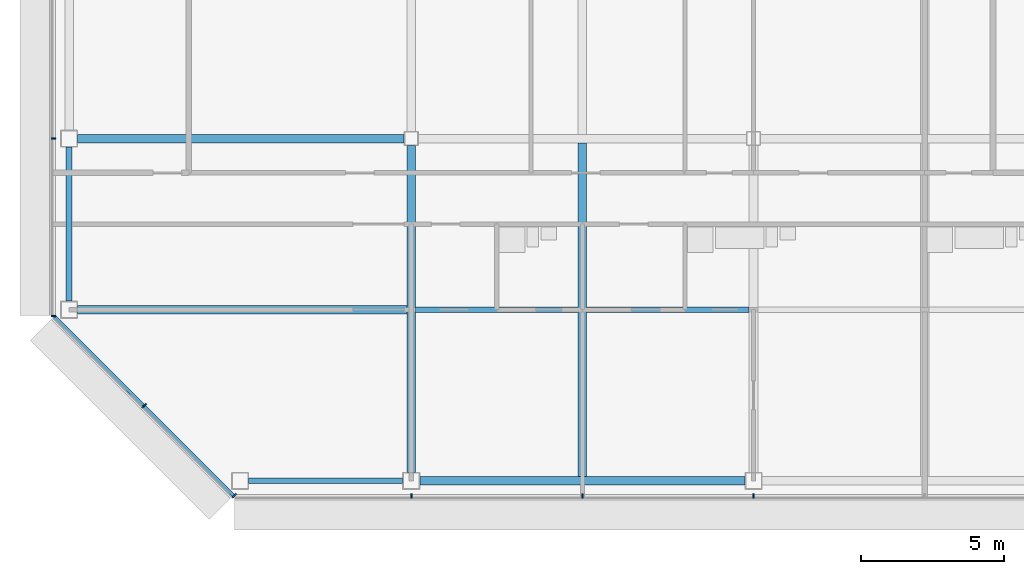
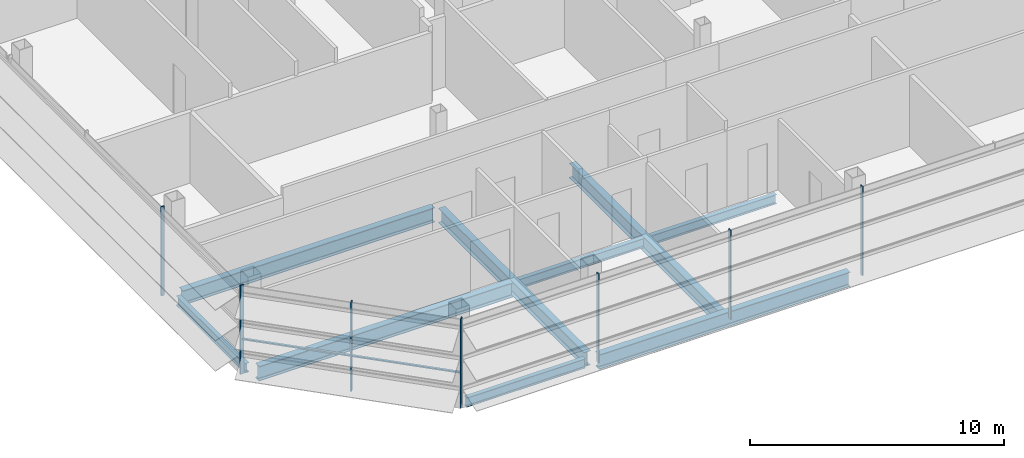
# One storey, part 3 of 29: 9 beams, 8 members, 3 elements without a shape of their own.
"""IFC4 building model written with IfcOpenShell, lengths in metres."""

from ifc_helpers import new_model, si_unit, direction, frame, origin, origin_2d, place, context, subcontext, project, spatial, rectangle, i_section, extrude, material, material_profile, profile_set, type_object, element, aggregate, save


model = new_model("IFC4")

# Units and contexts
model_context = context("Model", 3, precision=1e-05, world=origin(), true_north=direction((0.0, 1.0)))
body_context = subcontext(model_context, "Body", "Model", "MODEL_VIEW")
ifc_project = project(units=[si_unit("LENGTHUNIT", "METRE"), si_unit("AREAUNIT", "SQUARE_METRE"), si_unit("VOLUMEUNIT", "CUBIC_METRE"), si_unit("PLANEANGLEUNIT", "RADIAN"), si_unit("MASSUNIT", "GRAM", prefix="KILO")], contexts=[model_context])

# Site, building, storey
site_placement = place(None, origin())
site = spatial("IfcSite", under=ifc_project, at=site_placement, CompositionType="ELEMENT")
building_placement = place(site_placement, origin())
building = spatial("IfcBuilding", under=site, at=building_placement, Name="Sorahane Residences", CompositionType="ELEMENT")
storey_placement = place(building_placement, frame((0.0, 0.0, 277.39990234375)))
storey = spatial("IfcBuildingStorey", under=building, at=storey_placement, Name="L66", CompositionType="ELEMENT", Elevation=277.39990234375)

# Curtain wall, members
ifc_material_1 = material(Name="Dark low-e glass and black anodised aluminium", Category="aluminium")
curtain_wall_type_1 = type_object("IfcCurtainWallType", Name="Curtain wall CW-1 Typical unitised wall", PredefinedType="NOTDEFINED", material=ifc_material_1)
curtain_wall_1_placement = place(storey_placement, origin())
curtain_wall_1 = element("IfcCurtainWall", 1, at=curtain_wall_1_placement, inside=storey, type_object=curtain_wall_type_1, Name="CW-1 curtain wall L66 S1", PredefinedType="NOTDEFINED")
ifc_material_2 = material(Name="Black anodised aluminium", Category="aluminium")
ifc_material_profile_1 = material_profile(ifc_material_2, rectangle(XDim=0.159912109375, YDim=0.050048828125, at=origin_2d()), Name="Curtain wall mullion CW-1 black anodised aluminium 50x160")
ifc_profile_set_1 = profile_set([ifc_material_profile_1], Name="Black anodised aluminium")
member_type_1 = type_object("IfcMemberType", Name="Curtain wall mullion CW-1 black anodised aluminium 50x160", PredefinedType="MULLION", material=ifc_profile_set_1)
member_1_placement = place(storey_placement, frame((0.0, -0.5400390625, -0.179931640625), z_axis=(0.0, 0.0, 1.0), x_axis=(0.0, -1.0, 0.0)))
member_1 = element("IfcMember", 2, at=member_1_placement, type_object=member_type_1, Name="CW-1 mullion L66 S1.2", PredefinedType="MULLION", context=body_context, shape_type="SweptSolid", body=[
    extrude(rectangle(XDim=0.159912109375, YDim=0.050048828125, at=origin_2d()), origin(), (0.0, 0.0, 1.0), 4.280029296875),
])
member_2_placement = place(storey_placement, frame((6.0, -0.5400390625, -0.179931640625), z_axis=(0.0, 0.0, 1.0), x_axis=(0.0, -1.0, 0.0)))
member_2 = element("IfcMember", 3, at=member_2_placement, type_object=member_type_1, Name="CW-1 mullion L66 S1.3", PredefinedType="MULLION", context=body_context, shape_type="SweptSolid", body=[
    extrude(rectangle(XDim=0.159912109375, YDim=0.050048828125, at=origin_2d()), origin(), (0.0, 0.0, 1.0), 4.280029296875),
])
member_3_placement = place(storey_placement, frame((12.0, -0.5400390625, -0.179931640625), z_axis=(0.0, 0.0, 1.0), x_axis=(0.0, -1.0, 0.0)))
member_3 = element("IfcMember", 4, at=member_3_placement, type_object=member_type_1, Name="CW-1 mullion L66 S1.4", PredefinedType="MULLION", context=body_context, shape_type="SweptSolid", body=[
    extrude(rectangle(XDim=0.159912109375, YDim=0.050048828125, at=origin_2d()), origin(), (0.0, 0.0, 1.0), 4.280029296875),
])
aggregate(curtain_wall_1, [member_1, member_2, member_3])

curtain_wall_2_placement = place(storey_placement, origin())
curtain_wall_2 = element("IfcCurtainWall", 5, at=curtain_wall_2_placement, inside=storey, type_object=curtain_wall_type_1, Name="CW-1 curtain wall L66 W1", PredefinedType="NOTDEFINED")
member_4_placement = place(storey_placement, frame((-12.5400390625, 12.0, -0.179931640625), z_axis=(0.0, 0.0, 1.0), x_axis=(-1.0, 0.0, 0.0)))
member_4 = element("IfcMember", 6, at=member_4_placement, type_object=member_type_1, Name="CW-1 mullion L66 W1.6", PredefinedType="MULLION", context=body_context, shape_type="SweptSolid", body=[
    extrude(rectangle(XDim=0.159912109375, YDim=0.050048828125, at=origin_2d()), origin(), (0.0, 0.0, 1.0), 4.280029296875),
])
member_5_placement = place(storey_placement, frame((-12.5400390625, 5.7763671875, -0.179931640625), z_axis=(0.0, 0.0, 1.0), x_axis=(-1.0, 0.0, 0.0)))
member_5 = element("IfcMember", 7, at=member_5_placement, type_object=member_type_1, Name="CW-1 mullion L66 W1.7", PredefinedType="MULLION", context=body_context, shape_type="SweptSolid", body=[
    extrude(rectangle(XDim=0.159912109375, YDim=0.050048828125, at=origin_2d()), origin(), (0.0, 0.0, 1.0), 4.280029296875),
])
aggregate(curtain_wall_2, [member_4, member_5])

ifc_material_3 = material(Name="Dark low-e glass and black anodised aluminium", Category="aluminium")
curtain_wall_type_2 = type_object("IfcCurtainWallType", Name="Curtain wall CW-2 Chamfer unitised wall", PredefinedType="NOTDEFINED", material=ifc_material_3)
curtain_wall_3_placement = place(storey_placement, origin())
curtain_wall_3 = element("IfcCurtainWall", 8, at=curtain_wall_3_placement, inside=storey, type_object=curtain_wall_type_2, Name="CW-2 curtain wall L66 SW1", PredefinedType="NOTDEFINED")
ifc_material_4 = material(Name="Black anodised aluminium", Category="aluminium")
ifc_material_profile_2 = material_profile(ifc_material_4, rectangle(XDim=0.199951171875, YDim=0.050048828125, at=origin_2d()), Name="Curtain wall mullion CW-2 black anodised aluminium 50x200")
ifc_profile_set_2 = profile_set([ifc_material_profile_2], Name="Black anodised aluminium")
member_type_2 = type_object("IfcMemberType", Name="Curtain wall mullion CW-2 black anodised aluminium 50x200", PredefinedType="MULLION", material=ifc_profile_set_2)
member_6_placement = place(storey_placement, frame((-9.36767578125, 2.63232421875, -0.179931640625), z_axis=(0.0, 0.0, 1.0), x_axis=(-0.707106781187, -0.707106781187, 0.0)))
member_6 = element("IfcMember", 9, at=member_6_placement, type_object=member_type_2, Name="CW-2 mullion L66 SW1.2", PredefinedType="MULLION", context=body_context, shape_type="SweptSolid", body=[
    extrude(rectangle(XDim=0.199951171875, YDim=0.050048828125, at=origin_2d()), origin(), (0.0, 0.0, 1.0), 4.280029296875),
])
member_7_placement = place(storey_placement, frame((-6.209716796875, -0.525634765625, -0.179931640625), z_axis=(0.0, 0.0, 1.0), x_axis=(-0.707106781187, -0.707106781187, 0.0)))
member_7 = element("IfcMember", 10, at=member_7_placement, type_object=member_type_2, Name="CW-2 mullion L66 SW1.3", PredefinedType="MULLION", context=body_context, shape_type="SweptSolid", body=[
    extrude(rectangle(XDim=0.199951171875, YDim=0.050048828125, at=origin_2d()), origin(), (0.0, 0.0, 1.0), 4.280029296875),
])
ifc_material_5 = material(Name="Black anodised aluminium", Category="aluminium")
ifc_material_profile_3 = material_profile(ifc_material_5, rectangle(XDim=0.10009765625, YDim=0.06005859375, at=origin_2d()), Name="Curtain wall transom CW-2 black anodised aluminium 60x100")
ifc_profile_set_3 = profile_set([ifc_material_profile_3], Name="Black anodised aluminium")
member_type_3 = type_object("IfcMemberType", Name="Curtain wall transom CW-2 black anodised aluminium 60x100", PredefinedType="USERDEFINED", material=ifc_profile_set_3)
member_8_placement = place(storey_placement, frame((-12.51513671875, 5.765625, 1.5), z_axis=(0.707106781187, -0.707106781187, 0.0), x_axis=(0.707106781187, 0.707106781187, 0.0)))
member_8 = element("IfcMember", 11, at=member_8_placement, type_object=member_type_3, Name="CW-2 transom L66 SW1", ObjectType="TRANSOM", PredefinedType="USERDEFINED", context=body_context, shape_type="SweptSolid", body=[
    extrude(rectangle(XDim=0.10009765625, YDim=0.06005859375, at=origin_2d()), origin(), (0.0, 0.0, 1.0), 8.88232421875),
])
aggregate(curtain_wall_3, [member_6, member_7, member_8])

# Beams
ifc_material_6 = material(Name="Steel Q355B", Category="steel")
ifc_material_profile_4 = material_profile(ifc_material_6, i_section(OverallWidth=0.199951171875, OverallDepth=0.449951171875, WebThickness=0.009033203125, FlangeThickness=0.013916015625, FilletRadius=0.02001953125, at=origin_2d()), Name="HN 450x200x9x14")
ifc_profile_set_4 = profile_set([ifc_material_profile_4], Name="Steel Q355B")
beam_type_1 = type_object("IfcBeamType", Name="Steel floor beam HN 450x200x9x14 Q355B", PredefinedType="BEAM", material=ifc_profile_set_4)
for number, where, z_axis, x_axis, name in (
    (12, (-5.699951171875, 0.0, -0.40478515625), (1.0, 0.0, 0.0), (0.0, 1.0, 0.0), "Beam L66 000"),
    (13, (-12.0, 6.300048828125, -0.40478515625), (0.0, 1.0, 0.0), (-1.0, 0.0, 0.0), "Beam L66 020"),
):
    element("IfcBeam", number, at=place(storey_placement, frame(where, z_axis=z_axis, x_axis=x_axis)), inside=storey, type_object=beam_type_1, Name=name, PredefinedType="BEAM", context=body_context, shape_type="SweptSolid", body=[
        extrude(i_section(OverallWidth=0.199951171875, OverallDepth=0.449951171875, WebThickness=0.009033203125, FlangeThickness=0.013916015625, FilletRadius=0.02001953125, at=origin_2d()), origin(), (0.0, 0.0, 1.0), 5.39990234375),
    ])
for number, where, z_axis, x_axis, name in (
    (14, (0.14990234375, 6.0, -0.40478515625), (1.0, 0.0, 0.0), (0.0, 1.0, 0.0), "Beam L66 069"),
    (15, (6.14990234375, 6.0, -0.40478515625), (1.0, 0.0, 0.0), (0.0, 1.0, 0.0), "Beam L66 070"),
):
    element("IfcBeam", number, at=place(storey_placement, frame(where, z_axis=z_axis, x_axis=x_axis)), inside=storey, type_object=beam_type_1, Name=name, PredefinedType="BEAM", context=body_context, shape_type="SweptSolid", body=[
        extrude(i_section(OverallWidth=0.199951171875, OverallDepth=0.449951171875, WebThickness=0.009033203125, FlangeThickness=0.013916015625, FilletRadius=0.02001953125, at=origin_2d()), origin(), (0.0, 0.0, 1.0), 5.7001953125),
    ])
ifc_material_7 = material(Name="Steel Q355B", Category="steel")
ifc_material_profile_5 = material_profile(ifc_material_7, i_section(OverallWidth=0.300048828125, OverallDepth=0.699951171875, WebThickness=0.012939453125, FlangeThickness=0.02392578125, FilletRadius=0.028076171875, at=origin_2d()), Name="HN 700x300x13x24")
ifc_profile_set_5 = profile_set([ifc_material_profile_5], Name="Steel Q355B")
beam_type_2 = type_object("IfcBeamType", Name="Steel floor beam HN 700x300x13x24 Q355B", PredefinedType="BEAM", material=ifc_profile_set_5)
beam_1_placement = place(storey_placement, frame((0.300048828125, 0.0, -0.52978515625), z_axis=(1.0, 0.0, 0.0), x_axis=(0.0, 1.0, 0.0)))
element("IfcBeam", 16, at=beam_1_placement, inside=storey, type_object=beam_type_2, Name="Beam L66 001", PredefinedType="BEAM", context=body_context, shape_type="SweptSolid", body=[
    extrude(i_section(OverallWidth=0.300048828125, OverallDepth=0.699951171875, WebThickness=0.012939453125, FlangeThickness=0.02392578125, FilletRadius=0.028076171875, at=origin_2d()), origin(), (0.0, 0.0, 1.0), 11.39990234375),
])
for number, where, z_axis, x_axis, name in (
    (17, (-11.699951171875, 12.0, -0.52978515625), (1.0, 0.0, 0.0), (0.0, 1.0, 0.0), "Beam L66 005"),
    (18, (0.0, 0.300048828125, -0.52978515625), (0.0, 1.0, 0.0), (-1.0, 0.0, 0.0), "Beam L66 024"),
):
    element("IfcBeam", number, at=place(storey_placement, frame(where, z_axis=z_axis, x_axis=x_axis)), inside=storey, type_object=beam_type_2, Name=name, PredefinedType="BEAM", context=body_context, shape_type="SweptSolid", body=[
        extrude(i_section(OverallWidth=0.300048828125, OverallDepth=0.699951171875, WebThickness=0.012939453125, FlangeThickness=0.02392578125, FilletRadius=0.028076171875, at=origin_2d()), origin(), (0.0, 0.0, 1.0), 11.449951171875),
    ])
beam_2_placement = place(storey_placement, frame((6.0, 0.14990234375, -0.52978515625), z_axis=(0.0, 1.0, 0.0), x_axis=(-1.0, 0.0, 0.0)))
element("IfcBeam", 19, at=beam_2_placement, inside=storey, type_object=beam_type_2, Name="Beam L66 028", PredefinedType="BEAM", context=body_context, shape_type="SweptSolid", body=[
    extrude(i_section(OverallWidth=0.300048828125, OverallDepth=0.699951171875, WebThickness=0.012939453125, FlangeThickness=0.02392578125, FilletRadius=0.028076171875, at=origin_2d()), origin(), (0.0, 0.0, 1.0), 11.7001953125),
])
beam_3_placement = place(storey_placement, frame((-11.699951171875, 6.0, -0.52978515625), z_axis=(1.0, 0.0, 0.0), x_axis=(0.0, 1.0, 0.0)))
element("IfcBeam", 20, at=beam_3_placement, inside=storey, type_object=beam_type_2, Name="Beam L66 068", PredefinedType="BEAM", context=body_context, shape_type="SweptSolid", body=[
    extrude(i_section(OverallWidth=0.300048828125, OverallDepth=0.699951171875, WebThickness=0.012939453125, FlangeThickness=0.02392578125, FilletRadius=0.028076171875, at=origin_2d()), origin(), (0.0, 0.0, 1.0), 11.550048828125),
])

save(model, "model.ifc")
